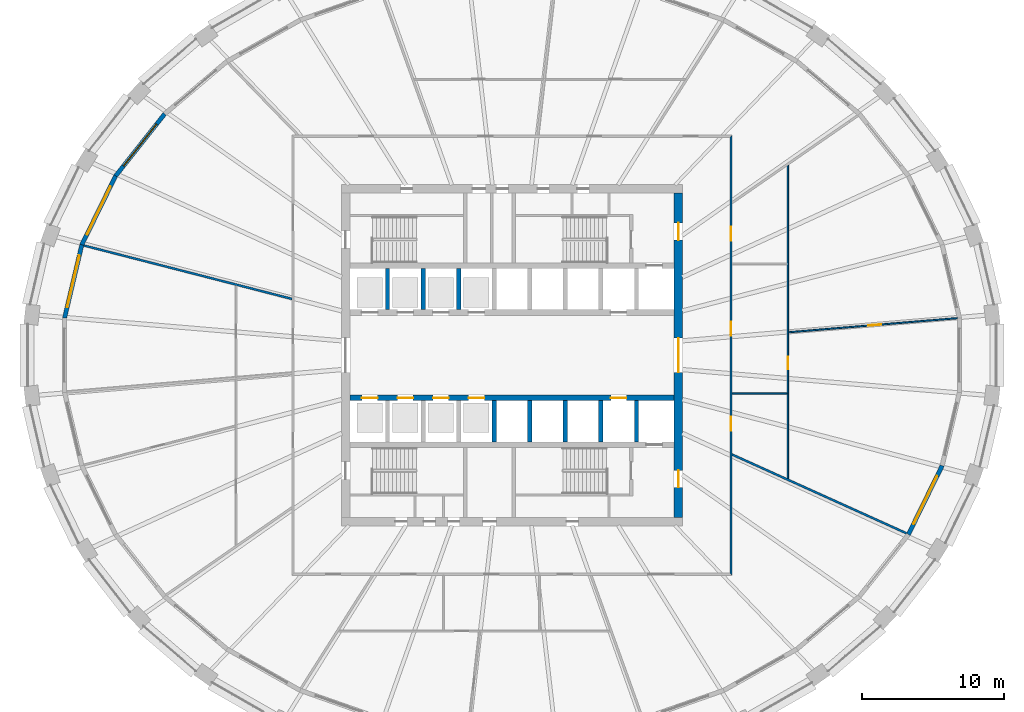
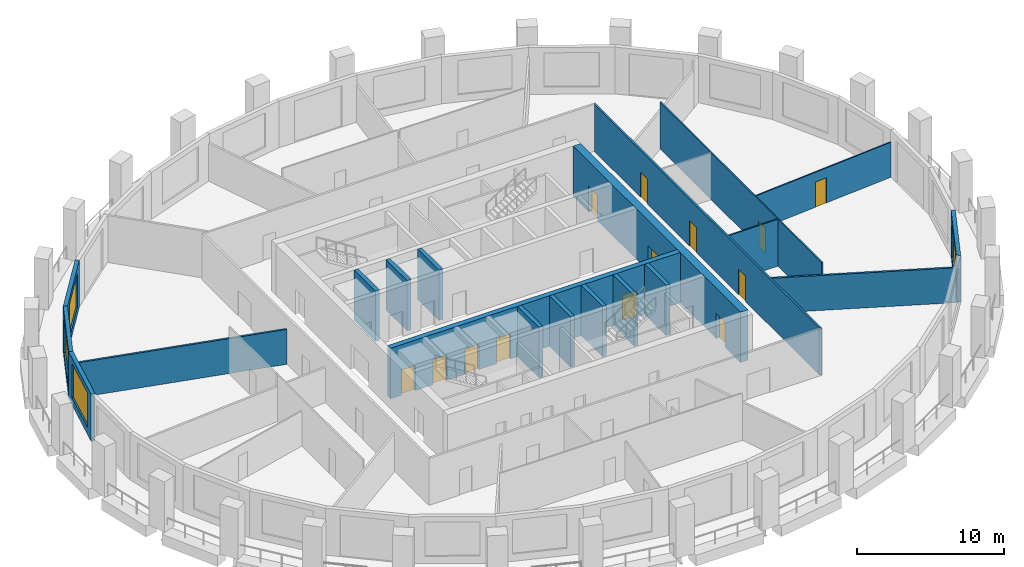
# One storey, part 5 of 11: 20 walls, 13 doors, 4 windows, 17 openings.
"""IFC4 building model written with IfcOpenShell, lengths in metres."""

from ifc_helpers import new_model, si_unit, direction, frame, frame_2d, origin, place, context, subcontext, project, spatial, polyline, rectangle, outline, extrude, material, layer, layer_set, type_object, element, fill, save


model = new_model("IFC4")

# Units and contexts
model_context = context("Model", 3, precision=1e-05, world=origin(), true_north=direction((0.0, 1.0)))
body_context = subcontext(model_context, "Body", "Model", "MODEL_VIEW")
ifc_project = project(units=[si_unit("LENGTHUNIT", "METRE"), si_unit("AREAUNIT", "SQUARE_METRE"), si_unit("VOLUMEUNIT", "CUBIC_METRE"), si_unit("PLANEANGLEUNIT", "RADIAN"), si_unit("MASSUNIT", "GRAM", prefix="KILO")], contexts=[model_context])

# Site, building, storey
site_placement = place(None, origin())
site = spatial("IfcSite", under=ifc_project, at=site_placement, CompositionType="ELEMENT")
building_placement = place(site_placement, origin())
building = spatial("IfcBuilding", under=site, at=building_placement, Name="Halqa Exchange Tower", CompositionType="ELEMENT")
storey_placement = place(building_placement, frame((0.0, 0.0, 150.699951171875)))
storey = spatial("IfcBuildingStorey", under=building, at=storey_placement, Name="L34", CompositionType="ELEMENT", Elevation=150.699951171875)

# Wall
ifc_material_1 = material(Name="Fire-rated gypsum board")
ifc_layer_1 = layer(ifc_material_1, 0.14990234375)
ifc_layer_set_1 = layer_set([ifc_layer_1], Name="Fire-rated gypsum board")
wall_type_1 = type_object("IfcWallType", Name="Fire partition EI 60 150", PredefinedType="PARTITIONING", material=ifc_layer_set_1)
wall_1_placement = place(storey_placement, frame((-30.106201171875, 7.714599609375, 0.0), z_axis=(0.0, 0.0, 1.0), x_axis=(0.968604188178, -0.248607977837, 0.0)))
element("IfcWall", 1, at=wall_1_placement, inside=storey, type_object=wall_type_1, Name="L34-PWL-002", PredefinedType="PARTITIONING", context=body_context, shape_type="SweptSolid", body=[
    extrude(outline(polyline([(0.0, -0.074951171875), (1.853271484375, -0.074951171875), (3.70654296875, -0.074951171875), (5.56005859375, -0.074951171875), (7.413330078125, -0.074951171875), (9.2666015625, -0.074951171875), (11.119873046875, -0.074951171875), (11.123779296875, -0.073974609375), (11.1240234375, -0.074951171875), (12.45751953125, -0.074951171875), (13.790771484375, -0.074951171875), (15.124267578125, -0.074951171875), (15.124267578125, -0.0732421875), (15.086181640625, 0.074951171875), (13.2021484375, 0.074951171875), (11.318359375, 0.074951171875), (9.434326171875, 0.074951171875), (7.55029296875, 0.074951171875), (5.66650390625, 0.074951171875), (3.782470703125, 0.074951171875), (1.8984375, 0.074951171875), (0.0146484375, 0.074951171875), (0.0, 0.0048828125), (0.0, -0.074951171875)])), origin(), (0.0, 0.0, 1.0), 2.91015625),
])

# Wall, openings, doors
wall_2_placement = place(storey_placement, frame((15.39990234375, -15.47509765625, 0.0), z_axis=(0.0, 0.0, 1.0), x_axis=(0.0, 1.0, 0.0)))
wall_2 = element("IfcWall", 2, at=wall_2_placement, inside=storey, type_object=wall_type_1, Name="L34-PWL-023", PredefinedType="PARTITIONING", context=body_context, shape_type="SweptSolid", body=[
    extrude(outline(polyline([(0.000244140625, -0.074951171875), (1.9345703125, -0.074951171875), (3.868896484375, -0.074951171875), (5.80322265625, -0.074951171875), (7.73779296875, -0.074951171875), (9.672119140625, -0.074951171875), (11.6064453125, -0.074951171875), (13.540771484375, -0.074951171875), (15.47509765625, -0.074951171875), (17.409423828125, -0.074951171875), (19.34375, -0.074951171875), (21.278076171875, -0.074951171875), (23.21240234375, -0.074951171875), (25.14697265625, -0.074951171875), (27.081298828125, -0.074951171875), (29.015625, -0.074951171875), (30.949951171875, -0.074951171875), (30.800048828125, 0.074951171875), (28.884521484375, 0.074951171875), (26.96875, 0.074951171875), (25.05322265625, 0.074951171875), (23.1376953125, 0.074951171875), (21.221923828125, 0.074951171875), (19.306396484375, 0.074951171875), (17.390625, 0.074951171875), (15.47509765625, 0.074951171875), (13.5595703125, 0.074951171875), (11.643798828125, 0.074951171875), (9.728271484375, 0.074951171875), (7.8125, 0.074951171875), (5.89697265625, 0.074951171875), (3.9814453125, 0.074951171875), (2.065673828125, 0.074951171875), (0.150146484375, 0.074951171875), (0.000244140625, -0.074951171875)])), origin(), (0.0, 0.0, 1.0), 3.900146484375),
])
opening_1_placement = place(wall_2_placement, frame((10.14990234375, 0.0, 0.0)))
opening_1 = element("IfcOpeningElement", 3, at=opening_1_placement, cuts=wall_2, Name="Opening 10-01", PredefinedType="OPENING", context=body_context, shape_type="SweptSolid", body=[
    extrude(rectangle(XDim=1.0, YDim=2.10009765625, at=frame_2d((0.5, 1.050048828125))), frame((0.0, 0.0869140625, 0.0), z_axis=(0.0, -1.0, 0.0), x_axis=(1.0, 0.0, 0.0)), (0.0, 0.0, 1.0), 0.173828125),
])
opening_2_placement = place(wall_2_placement, frame((16.8349609375, 0.0, 0.0)))
opening_2 = element("IfcOpeningElement", 4, at=opening_2_placement, cuts=wall_2, Name="Opening 10-02", PredefinedType="OPENING", context=body_context, shape_type="SweptSolid", body=[
    extrude(rectangle(XDim=1.0, YDim=2.10009765625, at=frame_2d((0.5, 1.050048828125))), frame((0.0, 0.0869140625, 0.0), z_axis=(0.0, -1.0, 0.0), x_axis=(1.0, 0.0, 0.0)), (0.0, 0.0, 1.0), 0.173828125),
])
opening_3_placement = place(wall_2_placement, frame((23.52001953125, 0.0, 0.0)))
opening_3 = element("IfcOpeningElement", 5, at=opening_3_placement, cuts=wall_2, Name="Opening 10-03", PredefinedType="OPENING", context=body_context, shape_type="SweptSolid", body=[
    extrude(rectangle(XDim=1.0, YDim=2.10009765625, at=frame_2d((0.5, 1.050048828125))), frame((0.0, 0.0869140625, 0.0), z_axis=(0.0, -1.0, 0.0), x_axis=(1.0, 0.0, 0.0)), (0.0, 0.0, 1.0), 0.173828125),
])
ifc_material_2 = material(Name="Steel fire door leaf", Category="steel")
door_type_1 = type_object("IfcDoorType", Name="Fire door FD30S 1000 x 2100", OperationType="SINGLE_SWING_LEFT", PredefinedType="DOOR", material=ifc_material_2)
door_1_placement = place(opening_1_placement, frame((1.0, 0.0, 0.0), z_axis=(0.0, 0.0, 1.0), x_axis=(-1.0, 0.0, 0.0)))
door_1 = element("IfcDoor", 6, at=door_1_placement, inside=storey, type_object=door_type_1, Name="L34-IDR-001", OperationType="SINGLE_SWING_LEFT", OverallHeight=2.10009765625, OverallWidth=1.0, PredefinedType="DOOR", context=body_context, shape_type="SweptSolid", body=[
    extrude(rectangle(XDim=1.0, YDim=2.10009765625, at=frame_2d((0.5, 1.050048828125))), frame((0.0, 0.02490234375, 0.0), z_axis=(0.0, -1.0, 0.0), x_axis=(1.0, 0.0, 0.0)), (0.0, 0.0, 1.0), 0.050048828125),
])
fill(opening_1, door_1)
door_2_placement = place(opening_2_placement, frame((1.0, 0.0, 0.0), z_axis=(0.0, 0.0, 1.0), x_axis=(-1.0, 0.0, 0.0)))
door_2 = element("IfcDoor", 7, at=door_2_placement, inside=storey, type_object=door_type_1, Name="L34-IDR-002", OperationType="SINGLE_SWING_LEFT", OverallHeight=2.10009765625, OverallWidth=1.0, PredefinedType="DOOR", context=body_context, shape_type="SweptSolid", body=[
    extrude(rectangle(XDim=1.0, YDim=2.10009765625, at=frame_2d((0.5, 1.050048828125))), frame((0.0, 0.02490234375, 0.0), z_axis=(0.0, -1.0, 0.0), x_axis=(1.0, 0.0, 0.0)), (0.0, 0.0, 1.0), 0.050048828125),
])
fill(opening_2, door_2)
door_3_placement = place(opening_3_placement, frame((1.0, 0.0, 0.0), z_axis=(0.0, 0.0, 1.0), x_axis=(-1.0, 0.0, 0.0)))
door_3 = element("IfcDoor", 8, at=door_3_placement, inside=storey, type_object=door_type_1, Name="L34-IDR-003", OperationType="SINGLE_SWING_LEFT", OverallHeight=2.10009765625, OverallWidth=1.0, PredefinedType="DOOR", context=body_context, shape_type="SweptSolid", body=[
    extrude(rectangle(XDim=1.0, YDim=2.10009765625, at=frame_2d((0.5, 1.050048828125))), frame((0.0, 0.02490234375, 0.0), z_axis=(0.0, -1.0, 0.0), x_axis=(1.0, 0.0, 0.0)), (0.0, 0.0, 1.0), 0.050048828125),
])
fill(opening_3, door_3)

# Walls
wall_3_placement = place(storey_placement, frame((15.444091796875, -6.969970703125, 0.0), z_axis=(0.0, 0.0, 1.0), x_axis=(0.911349155517, -0.411634202587, 0.0)))
element("IfcWall", 9, at=wall_3_placement, inside=storey, type_object=wall_type_1, Name="L34-PWL-024", PredefinedType="PARTITIONING", context=body_context, shape_type="SweptSolid", body=[
    extrude(outline(polyline([(0.06787109375, -0.074951171875), (1.98388671875, -0.074951171875), (3.89990234375, -0.074951171875), (5.81591796875, -0.074951171875), (7.73193359375, -0.074951171875), (9.64794921875, -0.074951171875), (11.564208984375, -0.074951171875), (13.480224609375, -0.074951171875), (13.49951171875, 0.0029296875), (13.50146484375, 0.0615234375), (13.50146484375, 0.074951171875), (11.65185546875, 0.074951171875), (9.80224609375, 0.074951171875), (7.95263671875, 0.074951171875), (6.10302734375, 0.074951171875), (4.25341796875, 0.074951171875), (4.252197265625, 0.074462890625), (4.251953125, 0.074951171875), (2.834716796875, 0.074951171875), (1.41748046875, 0.074951171875), (0.0, 0.074951171875), (0.06787109375, -0.074951171875)])), origin(), (0.0, 0.0, 1.0), 2.91015625),
])
ifc_material_3 = material(Name="Gypsum board")
ifc_layer_2 = layer(ifc_material_3, 0.10009765625)
ifc_layer_set_2 = layer_set([ifc_layer_2], Name="Gypsum board")
wall_type_2 = type_object("IfcWallType", Name="Partition 100 gypsum", PredefinedType="PARTITIONING", material=ifc_layer_set_2)
wall_4_placement = place(storey_placement, frame((15.47509765625, -2.699951171875, 0.0), z_axis=(0.0, 0.0, 1.0), x_axis=(1.0, 0.0, 0.0)))
element("IfcWall", 10, at=wall_4_placement, inside=storey, type_object=wall_type_2, Name="L34-PWL-025", PredefinedType="PARTITIONING", context=body_context, shape_type="SweptSolid", body=[
    extrude(rectangle(XDim=3.875, YDim=0.10009765625, at=frame_2d((1.9375, 0.0))), origin(), (0.0, 0.0, 1.0), 3.900146484375),
])

# Wall, opening, door
wall_5_placement = place(storey_placement, frame((19.39990234375, -8.696533203125, 0.0), z_axis=(0.0, 0.0, 1.0), x_axis=(0.0, 1.0, 0.0)))
wall_5 = element("IfcWall", 11, at=wall_5_placement, inside=storey, type_object=wall_type_2, Name="L34-PWL-028", PredefinedType="PARTITIONING", context=body_context, shape_type="SweptSolid", body=[
    extrude(outline(polyline([(22.07958984375, -0.050048828125), (22.07958984375, -0.049560546875), (22.010498046875, 0.050048828125), (20.299560546875, 0.050048828125), (18.588623046875, 0.050048828125), (16.87744140625, 0.050048828125), (15.16650390625, 0.050048828125), (15.16650390625, 0.0498046875), (15.066650390625, 0.0498046875), (15.066650390625, 0.050048828125), (13.262451171875, 0.050048828125), (11.45849609375, 0.050048828125), (9.654541015625, 0.050048828125), (7.8505859375, 0.050048828125), (6.046630859375, 0.050048828125), (6.046630859375, 0.0498046875), (5.946533203125, 0.0498046875), (5.946533203125, 0.050048828125), (3.979248046875, 0.050048828125), (2.011962890625, 0.050048828125), (0.044677734375, 0.050048828125), (0.0, -0.049072265625), (0.0, -0.050048828125), (1.83984375, -0.050048828125), (3.679931640625, -0.050048828125), (5.52001953125, -0.050048828125), (7.35986328125, -0.050048828125), (9.19970703125, -0.050048828125), (11.039794921875, -0.050048828125), (12.8798828125, -0.050048828125), (14.7197265625, -0.050048828125), (16.5595703125, -0.050048828125), (18.399658203125, -0.050048828125), (20.23974609375, -0.050048828125), (22.07958984375, -0.050048828125)])), origin(), (0.0, 0.0, 1.0), 3.900146484375),
])
opening_4_placement = place(wall_5_placement, frame((7.701416015625, 0.0, 0.0)))
opening_4 = element("IfcOpeningElement", 12, at=opening_4_placement, cuts=wall_5, Name="Opening 10-16", PredefinedType="OPENING", context=body_context, shape_type="SweptSolid", body=[
    extrude(rectangle(XDim=0.89990234375, YDim=2.10009765625, at=frame_2d((0.449951171875, 1.050048828125))), frame((0.0, 0.06201171875, 0.0), z_axis=(0.0, -1.0, 0.0), x_axis=(1.0, 0.0, 0.0)), (0.0, 0.0, 1.0), 0.1240234375),
])
ifc_material_4 = material(Name="Timber door leaf", Category="wood")
door_type_2 = type_object("IfcDoorType", Name="Door 900 x 2100", OperationType="SINGLE_SWING_LEFT", PredefinedType="DOOR", material=ifc_material_4)
door_4_placement = place(opening_4_placement, origin())
door_4 = element("IfcDoor", 13, at=door_4_placement, inside=storey, type_object=door_type_2, Name="L34-IDR-016", OperationType="SINGLE_SWING_RIGHT", OverallHeight=2.10009765625, OverallWidth=0.89990234375, PredefinedType="DOOR", context=body_context, shape_type="SweptSolid", body=[
    extrude(rectangle(XDim=0.89990234375, YDim=2.10009765625, at=frame_2d((0.449951171875, 1.050048828125))), frame((0.0, 0.02490234375, 0.0), z_axis=(0.0, -1.0, 0.0), x_axis=(1.0, 0.0, 0.0)), (0.0, 0.0, 1.0), 0.050048828125),
])
fill(opening_4, door_4)

wall_6_placement = place(storey_placement, frame((19.44580078125, 1.61376953125, 0.0), z_axis=(0.0, 0.0, 1.0), x_axis=(0.996528479526, 0.083252564492, 0.0)))
wall_6 = element("IfcWall", 14, at=wall_6_placement, inside=storey, type_object=wall_type_2, Name="L34-PWL-029", PredefinedType="PARTITIONING", context=body_context, shape_type="SweptSolid", body=[
    extrude(outline(polyline([(0.0, -0.050048828125), (1.98388671875, -0.050048828125), (3.9677734375, -0.050048828125), (5.95166015625, -0.050048828125), (7.935302734375, -0.050048828125), (9.919189453125, -0.050048828125), (11.903076171875, -0.050048828125), (11.903076171875, -0.0498046875), (11.903076171875, 0.026611328125), (11.899658203125, 0.050048828125), (9.917724609375, 0.050048828125), (7.935791015625, 0.050048828125), (5.9541015625, 0.050048828125), (3.97216796875, 0.050048828125), (1.990234375, 0.050048828125), (0.00830078125, 0.050048828125), (0.0, -0.050048828125)])), origin(), (0.0, 0.0, 1.0), 2.91015625),
])
opening_5_placement = place(wall_6_placement, frame((5.63037109375, 0.0, 0.0)))
opening_5 = element("IfcOpeningElement", 15, at=opening_5_placement, cuts=wall_6, Name="Opening 10-17", PredefinedType="OPENING", context=body_context, shape_type="SweptSolid", body=[
    extrude(rectangle(XDim=0.89990234375, YDim=2.10009765625, at=frame_2d((0.449951171875, 1.050048828125))), frame((0.0, 0.06201171875, 0.0), z_axis=(0.0, -1.0, 0.0), x_axis=(1.0, 0.0, 0.0)), (0.0, 0.0, 1.0), 0.1240234375),
])
door_5_placement = place(opening_5_placement, origin())
door_5 = element("IfcDoor", 16, at=door_5_placement, inside=storey, type_object=door_type_2, Name="L34-IDR-017", OperationType="SINGLE_SWING_RIGHT", OverallHeight=2.10009765625, OverallWidth=0.89990234375, PredefinedType="DOOR", context=body_context, shape_type="SweptSolid", body=[
    extrude(rectangle(XDim=0.89990234375, YDim=2.10009765625, at=frame_2d((0.449951171875, 1.050048828125))), frame((0.0, 0.02490234375, 0.0), z_axis=(0.0, -1.0, 0.0), x_axis=(1.0, 0.0, 0.0)), (0.0, 0.0, 1.0), 0.050048828125),
])
fill(opening_5, door_5)

# Walls
ifc_material_5 = material(Name="Concrete C60/75", Category="concrete")
ifc_layer_3 = layer(ifc_material_5, 0.300048828125)
ifc_layer_set_3 = layer_set([ifc_layer_3], Name="Concrete C60/75")
wall_type_3 = type_object("IfcWallType", Name="RC core wall 300", PredefinedType="SHEAR", material=ifc_layer_set_3)
for number, where, z_axis, x_axis, name in (
    (17, (-8.75, 3.199951171875, 0.0), (0.0, 0.0, 1.0), (0.0, 1.0, 0.0), "Shaft divider N1"),
    (18, (-6.25, 3.199951171875, 0.0), (0.0, 0.0, 1.0), (0.0, 1.0, 0.0), "Shaft divider N2"),
    (19, (-3.75, 3.199951171875, 0.0), (0.0, 0.0, 1.0), (0.0, 1.0, 0.0), "Shaft divider N3"),
    (20, (-1.25, -6.10009765625, 0.0), (0.0, 0.0, 1.0), (0.0, 1.0, 0.0), "Shaft divider S4"),
    (21, (1.25, -6.10009765625, 0.0), (0.0, 0.0, 1.0), (0.0, 1.0, 0.0), "Shaft divider S5"),
    (22, (3.75, -6.10009765625, 0.0), (0.0, 0.0, 1.0), (0.0, 1.0, 0.0), "Shaft divider S6"),
    (23, (6.25, -6.10009765625, 0.0), (0.0, 0.0, 1.0), (0.0, 1.0, 0.0), "Shaft divider S7"),
    (24, (8.75, -6.10009765625, 0.0), (0.0, 0.0, 1.0), (0.0, 1.0, 0.0), "Shaft divider S8"),
):
    element("IfcWall", number, at=place(storey_placement, frame(where, z_axis=z_axis, x_axis=x_axis)), inside=storey, type_object=wall_type_3, Name=name, PredefinedType="SHEAR", context=body_context, shape_type="SweptSolid", body=[
        extrude(rectangle(XDim=2.900146484375, YDim=0.300048828125, at=frame_2d((1.4501953125, 0.0))), origin(), (0.0, 0.0, 1.0), 4.199951171875),
    ])

# Wall, openings, doors
ifc_material_6 = material(Name="Concrete C70/85", Category="concrete")
ifc_layer_4 = layer(ifc_material_6, 0.39990234375)
ifc_layer_set_4 = layer_set([ifc_layer_4], Name="Concrete C70/85")
wall_type_4 = type_object("IfcWallType", Name="RC core wall 400 C70/85", PredefinedType="SHEAR", material=ifc_layer_set_4)
wall_7_placement = place(storey_placement, frame((-11.39990234375, -3.0, 0.0), z_axis=(0.0, 0.0, 1.0), x_axis=(1.0, 0.0, 0.0)))
wall_7 = element("IfcWall", 25, at=wall_7_placement, inside=storey, type_object=wall_type_4, Name="Lift row front wall S", PredefinedType="SHEAR", context=body_context, shape_type="SweptSolid", body=[
    extrude(rectangle(XDim=22.7998046875, YDim=0.39990234375, at=frame_2d((11.39990234375, 0.0))), origin(), (0.0, 0.0, 1.0), 4.199951171875),
])
opening_6_placement = place(wall_7_placement, frame((0.85009765625, 0.0, 0.0)))
opening_6 = element("IfcOpeningElement", 26, at=opening_6_placement, cuts=wall_7, Name="Opening LD-LR5-T10", PredefinedType="OPENING", context=body_context, shape_type="SweptSolid", body=[
    extrude(rectangle(XDim=1.10009765625, YDim=2.10009765625, at=frame_2d((0.550048828125, 1.050048828125))), frame((0.0, 0.2119140625, 0.0), z_axis=(0.0, -1.0, 0.0), x_axis=(1.0, 0.0, 0.0)), (0.0, 0.0, 1.0), 0.423828125),
])
opening_7_placement = place(wall_7_placement, frame((3.35009765625, 0.0, 0.0)))
opening_7 = element("IfcOpeningElement", 27, at=opening_7_placement, cuts=wall_7, Name="Opening LD-LR6-T10", PredefinedType="OPENING", context=body_context, shape_type="SweptSolid", body=[
    extrude(rectangle(XDim=1.10009765625, YDim=2.10009765625, at=frame_2d((0.550048828125, 1.050048828125))), frame((0.0, 0.2119140625, 0.0), z_axis=(0.0, -1.0, 0.0), x_axis=(1.0, 0.0, 0.0)), (0.0, 0.0, 1.0), 0.423828125),
])
opening_8_placement = place(wall_7_placement, frame((5.85009765625, 0.0, 0.0)))
opening_8 = element("IfcOpeningElement", 28, at=opening_8_placement, cuts=wall_7, Name="Opening LD-LR7-T10", PredefinedType="OPENING", context=body_context, shape_type="SweptSolid", body=[
    extrude(rectangle(XDim=1.10009765625, YDim=2.10009765625, at=frame_2d((0.550048828125, 1.050048828125))), frame((0.0, 0.2119140625, 0.0), z_axis=(0.0, -1.0, 0.0), x_axis=(1.0, 0.0, 0.0)), (0.0, 0.0, 1.0), 0.423828125),
])
opening_9_placement = place(wall_7_placement, frame((8.35009765625, 0.0, 0.0)))
opening_9 = element("IfcOpeningElement", 29, at=opening_9_placement, cuts=wall_7, Name="Opening LD-LR8-T10", PredefinedType="OPENING", context=body_context, shape_type="SweptSolid", body=[
    extrude(rectangle(XDim=1.10009765625, YDim=2.10009765625, at=frame_2d((0.550048828125, 1.050048828125))), frame((0.0, 0.2119140625, 0.0), z_axis=(0.0, -1.0, 0.0), x_axis=(1.0, 0.0, 0.0)), (0.0, 0.0, 1.0), 0.423828125),
])
opening_10_placement = place(wall_7_placement, frame((18.35009765625, 0.0, 0.0)))
opening_10 = element("IfcOpeningElement", 30, at=opening_10_placement, cuts=wall_7, Name="Opening LD-SV2-T10", PredefinedType="OPENING", context=body_context, shape_type="SweptSolid", body=[
    extrude(rectangle(XDim=1.10009765625, YDim=2.10009765625, at=frame_2d((0.550048828125, 1.050048828125))), frame((0.0, 0.2119140625, 0.0), z_axis=(0.0, -1.0, 0.0), x_axis=(1.0, 0.0, 0.0)), (0.0, 0.0, 1.0), 0.423828125),
])
ifc_material_7 = material(Name="Stainless steel", Category="steel")
door_type_3 = type_object("IfcDoorType", Name="Lift landing door 1100 x 2100", OperationType="SLIDING_TO_LEFT", PredefinedType="DOOR", material=ifc_material_7)
door_6_placement = place(opening_6_placement, origin())
door_6 = element("IfcDoor", 31, at=door_6_placement, inside=storey, type_object=door_type_3, Name="Lift landing door LR5", OperationType="SLIDING_TO_LEFT", OverallHeight=2.10009765625, OverallWidth=1.10009765625, PredefinedType="DOOR", context=body_context, shape_type="SweptSolid", body=[
    extrude(rectangle(XDim=1.10009765625, YDim=2.10009765625, at=frame_2d((0.550048828125, 1.050048828125))), frame((0.0, 0.02490234375, 0.0), z_axis=(0.0, -1.0, 0.0), x_axis=(1.0, 0.0, 0.0)), (0.0, 0.0, 1.0), 0.050048828125),
])
fill(opening_6, door_6)
door_7_placement = place(opening_7_placement, origin())
door_7 = element("IfcDoor", 32, at=door_7_placement, inside=storey, type_object=door_type_3, Name="Lift landing door LR6", OperationType="SLIDING_TO_LEFT", OverallHeight=2.10009765625, OverallWidth=1.10009765625, PredefinedType="DOOR", context=body_context, shape_type="SweptSolid", body=[
    extrude(rectangle(XDim=1.10009765625, YDim=2.10009765625, at=frame_2d((0.550048828125, 1.050048828125))), frame((0.0, 0.02490234375, 0.0), z_axis=(0.0, -1.0, 0.0), x_axis=(1.0, 0.0, 0.0)), (0.0, 0.0, 1.0), 0.050048828125),
])
fill(opening_7, door_7)
door_8_placement = place(opening_8_placement, origin())
door_8 = element("IfcDoor", 33, at=door_8_placement, inside=storey, type_object=door_type_3, Name="Lift landing door LR7", OperationType="SLIDING_TO_LEFT", OverallHeight=2.10009765625, OverallWidth=1.10009765625, PredefinedType="DOOR", context=body_context, shape_type="SweptSolid", body=[
    extrude(rectangle(XDim=1.10009765625, YDim=2.10009765625, at=frame_2d((0.550048828125, 1.050048828125))), frame((0.0, 0.02490234375, 0.0), z_axis=(0.0, -1.0, 0.0), x_axis=(1.0, 0.0, 0.0)), (0.0, 0.0, 1.0), 0.050048828125),
])
fill(opening_8, door_8)
door_9_placement = place(opening_9_placement, origin())
door_9 = element("IfcDoor", 34, at=door_9_placement, inside=storey, type_object=door_type_3, Name="Lift landing door LR8", OperationType="SLIDING_TO_LEFT", OverallHeight=2.10009765625, OverallWidth=1.10009765625, PredefinedType="DOOR", context=body_context, shape_type="SweptSolid", body=[
    extrude(rectangle(XDim=1.10009765625, YDim=2.10009765625, at=frame_2d((0.550048828125, 1.050048828125))), frame((0.0, 0.02490234375, 0.0), z_axis=(0.0, -1.0, 0.0), x_axis=(1.0, 0.0, 0.0)), (0.0, 0.0, 1.0), 0.050048828125),
])
fill(opening_9, door_9)
door_10_placement = place(opening_10_placement, origin())
door_10 = element("IfcDoor", 35, at=door_10_placement, inside=storey, type_object=door_type_3, Name="Lift landing door SV2", OperationType="SLIDING_TO_LEFT", OverallHeight=2.10009765625, OverallWidth=1.10009765625, PredefinedType="DOOR", context=body_context, shape_type="SweptSolid", body=[
    extrude(rectangle(XDim=1.10009765625, YDim=2.10009765625, at=frame_2d((0.550048828125, 1.050048828125))), frame((0.0, 0.02490234375, 0.0), z_axis=(0.0, -1.0, 0.0), x_axis=(1.0, 0.0, 0.0)), (0.0, 0.0, 1.0), 0.050048828125),
])
fill(opening_10, door_10)

ifc_layer_5 = layer(ifc_material_6, 0.60009765625)
ifc_layer_set_5 = layer_set([ifc_layer_5], Name="Concrete C70/85")
wall_type_5 = type_object("IfcWallType", Name="RC core wall 600 C70/85", PredefinedType="SHEAR", material=ifc_layer_set_5)
wall_8_placement = place(storey_placement, frame((11.699951171875, -11.39990234375, 0.0), z_axis=(0.0, 0.0, 1.0), x_axis=(0.0, 1.0, 0.0)))
wall_8 = element("IfcWall", 36, at=wall_8_placement, inside=storey, type_object=wall_type_5, Name="Core wall east", PredefinedType="SHEAR", context=body_context, shape_type="SweptSolid", body=[
    extrude(rectangle(XDim=22.7998046875, YDim=0.60009765625, at=frame_2d((11.39990234375, 0.0))), origin(), (0.0, 0.0, 1.0), 4.199951171875),
])
opening_11_placement = place(wall_8_placement, frame((10.199951171875, 0.0, 0.0)))
opening_11 = element("IfcOpeningElement", 37, at=opening_11_placement, cuts=wall_8, Name="Opening T10-C14", PredefinedType="OPENING", context=body_context, shape_type="SweptSolid", body=[
    extrude(rectangle(XDim=2.39990234375, YDim=2.10009765625, at=frame_2d((1.199951171875, 1.050048828125))), frame((0.0, 0.31201171875, 0.0), z_axis=(0.0, -1.0, 0.0), x_axis=(1.0, 0.0, 0.0)), (0.0, 0.0, 1.0), 0.6240234375),
])
opening_12_placement = place(wall_8_placement, frame((19.5, 0.0, 0.0)))
opening_12 = element("IfcOpeningElement", 38, at=opening_12_placement, cuts=wall_8, Name="Opening T10-C19", PredefinedType="OPENING", context=body_context, shape_type="SweptSolid", body=[
    extrude(rectangle(XDim=1.199951171875, YDim=2.10009765625, at=frame_2d((0.60009765625, 1.050048828125))), frame((0.0, 0.31201171875, 0.0), z_axis=(0.0, -1.0, 0.0), x_axis=(1.0, 0.0, 0.0)), (0.0, 0.0, 1.0), 0.6240234375),
])
opening_13_placement = place(wall_8_placement, frame((2.10009765625, 0.0, 0.0)))
opening_13 = element("IfcOpeningElement", 39, at=opening_13_placement, cuts=wall_8, Name="Opening T10-C20", PredefinedType="OPENING", context=body_context, shape_type="SweptSolid", body=[
    extrude(rectangle(XDim=1.199951171875, YDim=2.10009765625, at=frame_2d((0.60009765625, 1.050048828125))), frame((0.0, 0.31201171875, 0.0), z_axis=(0.0, -1.0, 0.0), x_axis=(1.0, 0.0, 0.0)), (0.0, 0.0, 1.0), 0.6240234375),
])
door_type_4 = type_object("IfcDoorType", Name="Firefighting lobby door FD90 1200 x 2100", OperationType="SINGLE_SWING_RIGHT", PredefinedType="DOOR", material=ifc_material_2)
door_11_placement = place(opening_12_placement, origin())
door_11 = element("IfcDoor", 40, at=door_11_placement, inside=storey, type_object=door_type_4, Name="Firefighting lobby door", OperationType="SINGLE_SWING_RIGHT", OverallHeight=2.10009765625, OverallWidth=1.199951171875, PredefinedType="DOOR", context=body_context, shape_type="SweptSolid", body=[
    extrude(rectangle(XDim=1.199951171875, YDim=2.10009765625, at=frame_2d((0.60009765625, 1.050048828125))), frame((0.0, 0.02490234375, 0.0), z_axis=(0.0, -1.0, 0.0), x_axis=(1.0, 0.0, 0.0)), (0.0, 0.0, 1.0), 0.050048828125),
])
fill(opening_12, door_11)
door_12_placement = place(opening_13_placement, origin())
door_12 = element("IfcDoor", 41, at=door_12_placement, inside=storey, type_object=door_type_4, Name="Firefighting lobby door", OperationType="SINGLE_SWING_LEFT", OverallHeight=2.10009765625, OverallWidth=1.199951171875, PredefinedType="DOOR", context=body_context, shape_type="SweptSolid", body=[
    extrude(rectangle(XDim=1.199951171875, YDim=2.10009765625, at=frame_2d((0.60009765625, 1.050048828125))), frame((0.0, 0.02490234375, 0.0), z_axis=(0.0, -1.0, 0.0), x_axis=(1.0, 0.0, 0.0)), (0.0, 0.0, 1.0), 0.050048828125),
])
fill(opening_13, door_12)
door_type_5 = type_object("IfcDoorType", Name="Lobby double door FD60 2400 x 2100", OperationType="DOUBLE_DOOR_SINGLE_SWING", PredefinedType="DOOR", material=ifc_material_2)
door_13_placement = place(opening_11_placement, origin())
door_13 = element("IfcDoor", 42, at=door_13_placement, inside=storey, type_object=door_type_5, Name="Lift lobby double door", OperationType="DOUBLE_DOOR_SINGLE_SWING", OverallHeight=2.10009765625, OverallWidth=2.39990234375, PredefinedType="DOOR", context=body_context, shape_type="SweptSolid", body=[
    extrude(rectangle(XDim=2.39990234375, YDim=2.10009765625, at=frame_2d((1.199951171875, 1.050048828125))), frame((0.0, 0.02490234375, 0.0), z_axis=(0.0, -1.0, 0.0), x_axis=(1.0, 0.0, 0.0)), (0.0, 0.0, 1.0), 0.050048828125),
])
fill(opening_11, door_13)

# Wall, opening, window
ifc_material_8 = material(Name="Limestone cladding", Category="masonry")
ifc_layer_6 = layer(ifc_material_8, 0.0400390625)
ifc_material_9 = material(Name="Ventilated cavity")
ifc_layer_7 = layer(ifc_material_9, 0.030029296875, ventilated=True)
ifc_material_10 = material(Name="Mineral wool insulation")
ifc_layer_8 = layer(ifc_material_10, 0.10009765625)
ifc_material_11 = material(Name="Concrete C30/37", Category="concrete")
ifc_layer_9 = layer(ifc_material_11, 0.10009765625)
ifc_material_12 = material(Name="Internal plaster")
ifc_layer_10 = layer(ifc_material_12, 0.030029296875)
ifc_layer_set_6 = layer_set([ifc_layer_6, ifc_layer_7, ifc_layer_8, ifc_layer_9, ifc_layer_10], Name="Stone-faced insulated wall 300")
wall_type_6 = type_object("IfcWallType", Name="Stone-faced insulated wall 300", PredefinedType="STANDARD", material=ifc_layer_set_6)
wall_9_placement = place(storey_placement, frame((-24.4296875, 16.959716796875, 0.0), z_axis=(0.0, 0.0, 1.0), x_axis=(-0.620520511988, -0.784190215574, 0.0)))
wall_9 = element("IfcWall", 43, at=wall_9_placement, inside=storey, type_object=wall_type_6, Name="Glass-line wall 13", PredefinedType="STANDARD", context=body_context, shape_type="SweptSolid", body=[
    extrude(outline(polyline([(-0.01513671875, -0.14990234375), (5.569580078125, -0.14990234375), (5.537353515625, 0.14990234375), (0.01513671875, 0.14990234375), (-0.01513671875, -0.14990234375)])), origin(), (0.0, 0.0, 1.0), 3.900146484375),
])
opening_14_placement = place(wall_9_placement, frame((0.901611328125, 0.0, 0.60009765625)))
opening_14 = element("IfcOpeningElement", 44, at=opening_14_placement, cuts=wall_9, Name="Opening W-F2-13", PredefinedType="OPENING", context=body_context, shape_type="SweptSolid", body=[
    extrude(rectangle(XDim=3.75, YDim=2.85009765625, at=frame_2d((1.875, 1.425048828125))), frame((0.0, 0.162109375, 0.0), z_axis=(0.0, -1.0, 0.0), x_axis=(1.0, 0.0, 0.0)), (0.0, 0.0, 1.0), 0.323974609375),
])
ifc_material_13 = material(Name="Clear low-emissivity glass in aluminium frame", Category="aluminium")
window_type = type_object("IfcWindowType", Name="Fixed clear glazed window 3750 x 2850", PartitioningType="TRIPLE_PANEL_VERTICAL", PredefinedType="WINDOW", material=ifc_material_13)
window_1_placement = place(opening_14_placement, origin())
window_1 = element("IfcWindow", 45, at=window_1_placement, inside=storey, type_object=window_type, Name="Window 2", OverallHeight=2.85009765625, OverallWidth=3.75, PartitioningType="TRIPLE_PANEL_VERTICAL", PredefinedType="WINDOW", context=body_context, shape_type="SweptSolid", body=[
    extrude(rectangle(XDim=3.75, YDim=2.85009765625, at=frame_2d((1.875, 1.425048828125))), frame((0.0, 0.030029296875, 0.0), z_axis=(0.0, -1.0, 0.0), x_axis=(1.0, 0.0, 0.0)), (0.0, 0.0, 1.0), 0.06005859375),
])
fill(opening_14, window_1)

wall_10_placement = place(storey_placement, frame((-27.875732421875, 12.604736328125, 0.0), z_axis=(0.0, 0.0, 1.0), x_axis=(-0.440373354088, -0.897814740918, 0.0)))
wall_10 = element("IfcWall", 46, at=wall_10_placement, inside=storey, type_object=wall_type_6, Name="Glass-line wall 14", PredefinedType="STANDARD", context=body_context, shape_type="SweptSolid", body=[
    extrude(outline(polyline([(-0.01611328125, -0.14990234375), (5.409423828125, -0.14990234375), (5.375732421875, 0.14990234375), (0.01611328125, 0.14990234375), (-0.01611328125, -0.14990234375)])), origin(), (0.0, 0.0, 1.0), 3.900146484375),
])
opening_15_placement = place(wall_10_placement, frame((0.8212890625, 0.0, 0.60009765625)))
opening_15 = element("IfcOpeningElement", 47, at=opening_15_placement, cuts=wall_10, Name="Opening W-F2-14", PredefinedType="OPENING", context=body_context, shape_type="SweptSolid", body=[
    extrude(rectangle(XDim=3.75, YDim=2.85009765625, at=frame_2d((1.875, 1.425048828125))), frame((0.0, 0.162109375, 0.0), z_axis=(0.0, -1.0, 0.0), x_axis=(1.0, 0.0, 0.0)), (0.0, 0.0, 1.0), 0.323974609375),
])
window_2_placement = place(opening_15_placement, origin())
window_2 = element("IfcWindow", 48, at=window_2_placement, inside=storey, type_object=window_type, Name="Window 2", OverallHeight=2.85009765625, OverallWidth=3.75, PartitioningType="TRIPLE_PANEL_VERTICAL", PredefinedType="WINDOW", context=body_context, shape_type="SweptSolid", body=[
    extrude(rectangle(XDim=3.75, YDim=2.85009765625, at=frame_2d((1.875, 1.425048828125))), frame((0.0, 0.030029296875, 0.0), z_axis=(0.0, -1.0, 0.0), x_axis=(1.0, 0.0, 0.0)), (0.0, 0.0, 1.0), 0.06005859375),
])
fill(opening_15, window_2)

wall_11_placement = place(storey_placement, frame((-30.25048828125, 7.76318359375, 0.0), z_axis=(0.0, 0.0, 1.0), x_axis=(-0.229289208312, -0.973358340464, 0.0)))
wall_11 = element("IfcWall", 49, at=wall_11_placement, inside=storey, type_object=wall_type_6, Name="Glass-line wall 15", PredefinedType="STANDARD", context=body_context, shape_type="SweptSolid", body=[
    extrude(outline(polyline([(-0.016845703125, -0.14990234375), (5.299560546875, -0.14990234375), (5.264892578125, 0.14990234375), (0.016845703125, 0.14990234375), (-0.016845703125, -0.14990234375)])), origin(), (0.0, 0.0, 1.0), 3.900146484375),
])
opening_16_placement = place(wall_11_placement, frame((0.76611328125, 0.0, 0.60009765625)))
opening_16 = element("IfcOpeningElement", 50, at=opening_16_placement, cuts=wall_11, Name="Opening W-F2-15", PredefinedType="OPENING", context=body_context, shape_type="SweptSolid", body=[
    extrude(rectangle(XDim=3.75, YDim=2.85009765625, at=frame_2d((1.875, 1.425048828125))), frame((0.0, 0.162109375, 0.0), z_axis=(0.0, -1.0, 0.0), x_axis=(1.0, 0.0, 0.0)), (0.0, 0.0, 1.0), 0.323974609375),
])
window_3_placement = place(opening_16_placement, origin())
window_3 = element("IfcWindow", 51, at=window_3_placement, inside=storey, type_object=window_type, Name="Window 2", OverallHeight=2.85009765625, OverallWidth=3.75, PartitioningType="TRIPLE_PANEL_VERTICAL", PredefinedType="WINDOW", context=body_context, shape_type="SweptSolid", body=[
    extrude(rectangle(XDim=3.75, YDim=2.85009765625, at=frame_2d((1.875, 1.425048828125))), frame((0.0, 0.030029296875, 0.0), z_axis=(0.0, -1.0, 0.0), x_axis=(1.0, 0.0, 0.0)), (0.0, 0.0, 1.0), 0.06005859375),
])
fill(opening_16, window_3)

wall_12_placement = place(storey_placement, frame((27.875732421875, -12.604736328125, 0.0), z_axis=(0.0, 0.0, 1.0), x_axis=(0.440373354088, 0.897814740918, 0.0)))
wall_12 = element("IfcWall", 52, at=wall_12_placement, inside=storey, type_object=wall_type_6, Name="Glass-line wall 30", PredefinedType="STANDARD", context=body_context, shape_type="SweptSolid", body=[
    extrude(outline(polyline([(-0.01611328125, -0.14990234375), (5.409423828125, -0.14990234375), (5.375732421875, 0.14990234375), (0.01611328125, 0.14990234375), (-0.01611328125, -0.14990234375)])), origin(), (0.0, 0.0, 1.0), 3.900146484375),
])
opening_17_placement = place(wall_12_placement, frame((0.8212890625, 0.0, 0.60009765625)))
opening_17 = element("IfcOpeningElement", 53, at=opening_17_placement, cuts=wall_12, Name="Opening W-F2-30", PredefinedType="OPENING", context=body_context, shape_type="SweptSolid", body=[
    extrude(rectangle(XDim=3.75, YDim=2.85009765625, at=frame_2d((1.875, 1.425048828125))), frame((0.0, 0.162109375, 0.0), z_axis=(0.0, -1.0, 0.0), x_axis=(1.0, 0.0, 0.0)), (0.0, 0.0, 1.0), 0.323974609375),
])
window_4_placement = place(opening_17_placement, origin())
window_4 = element("IfcWindow", 54, at=window_4_placement, inside=storey, type_object=window_type, Name="Window 2", OverallHeight=2.85009765625, OverallWidth=3.75, PartitioningType="TRIPLE_PANEL_VERTICAL", PredefinedType="WINDOW", context=body_context, shape_type="SweptSolid", body=[
    extrude(rectangle(XDim=3.75, YDim=2.85009765625, at=frame_2d((1.875, 1.425048828125))), frame((0.0, 0.030029296875, 0.0), z_axis=(0.0, -1.0, 0.0), x_axis=(1.0, 0.0, 0.0)), (0.0, 0.0, 1.0), 0.06005859375),
])
fill(opening_17, window_4)

save(model, "model.ifc")
